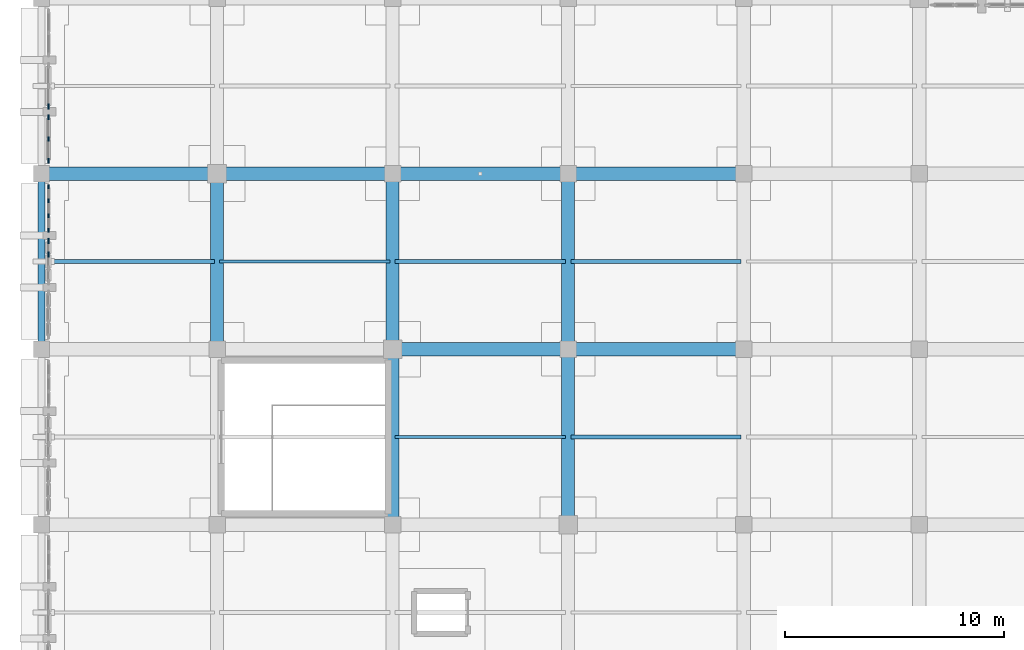
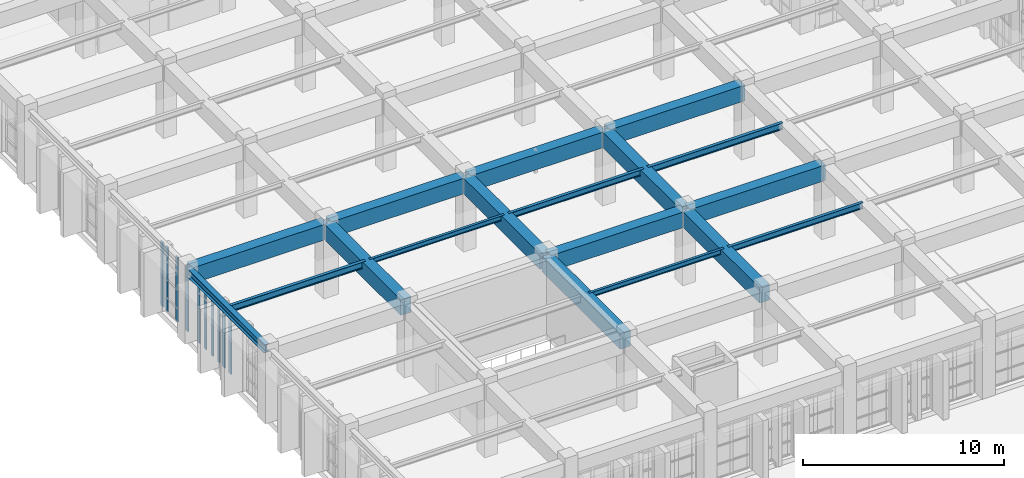
# One storey, part 10 of 155: 18 beams, 10 members, 4 elements without a shape of their own.
"""IFC4 building model written with IfcOpenShell, lengths in metres."""

import ifcopenshell
import ifcopenshell.guid

model = None  # the IFC model being written
_history = None  # IfcOwnerHistory: only IFC2X3 demands one
_inside = {}  # id of a spatial element -> (the spatial element, [elements in it])
_under = {}  # id of a project, library or spatial element -> (it, [spatial elements below it])
_declared = {}  # id of a project -> (the project, [libraries it declares])
_typed = {}  # id of a type object -> (the type object, [elements of that type])
_made_of = {}  # id of a material, layer set ... -> (it, [elements and type objects made of it])


def new_model(schema):
    """Start an empty IFC model of exactly this schema.

    Asked for "IFC4X3", IfcOpenShell would pick the latest addendum, in which some entities
    have other attributes; the version numbers below select the first issue.
    IFC2X3 requires an IfcOwnerHistory on every rooted entity: one is made here for all.
    """
    global model, _history
    if schema == "IFC4X3":
        model = ifcopenshell.file(schema_version=(4, 3, 0, 0))
    else:
        model = ifcopenshell.file(schema=schema)
    _inside.clear()
    _under.clear()
    _declared.clear()
    _typed.clear()
    _made_of.clear()
    _history = None
    if model.schema == "IFC2X3":
        org = make("IfcOrganization", Name="unknown")
        user = make(
            "IfcPersonAndOrganization",
            ThePerson=make("IfcPerson", FamilyName="unknown"),
            TheOrganization=org,
        )
        app = make(
            "IfcApplication",
            ApplicationDeveloper=org,
            Version="unknown",
            ApplicationFullName="unknown",
            ApplicationIdentifier="unknown",
        )
        _history = make(
            "IfcOwnerHistory",
            OwningUser=user,
            OwningApplication=app,
            ChangeAction="ADDED",
            CreationDate=0,
        )
    return model


def make(cls, **values):
    """One entity of the class cls with the attributes given. An attribute that is None is left unset."""
    return model.create_entity(
        cls, **{name: value for name, value in values.items() if value is not None}
    )


def rooted(cls, **values):
    """An entity with a GlobalId (a new one), such as an element, a storey or a relation."""
    return make(cls, GlobalId=ifcopenshell.guid.new(), OwnerHistory=_history, **values)


def si_unit(unit_type, name, prefix=None):
    """IfcSIUnit, for example si_unit("LENGTHUNIT", "METRE", prefix="MILLI")."""
    return make("IfcSIUnit", UnitType=unit_type, Prefix=prefix, Name=name)


def assignment(units):
    """IfcUnitAssignment: the units of a project."""
    return None if units is None else make("IfcUnitAssignment", Units=units)


def point(xyz):
    """IfcCartesianPoint."""
    return None if xyz is None else make("IfcCartesianPoint", Coordinates=xyz)


def direction(xyz):
    """IfcDirection."""
    return None if xyz is None else make("IfcDirection", DirectionRatios=xyz)


def frame(location, z_axis=None, x_axis=None):
    """IfcAxis2Placement3D, a coordinate frame: its origin and axes. An axis left out is left unset."""
    return make(
        "IfcAxis2Placement3D",
        Location=point(location),
        Axis=direction(z_axis),
        RefDirection=direction(x_axis),
    )


def frame_2d(location, x_axis=None):
    """IfcAxis2Placement2D, a coordinate frame in the plane: its origin and x axis."""
    return make(
        "IfcAxis2Placement2D", Location=point(location), RefDirection=direction(x_axis)
    )


def origin():
    """The frame at (0, 0, 0) with its axes left unset."""
    return frame((0.0, 0.0, 0.0))


def origin_2d():
    """The frame at (0, 0) in the plane with its x axis left unset."""
    return frame_2d((0.0, 0.0))


def place(relative_to, where):
    """IfcLocalPlacement: puts the frame where relative to a parent placement (None: the world)."""
    return make(
        "IfcLocalPlacement", PlacementRelTo=relative_to, RelativePlacement=where
    )


def context(
    kind, dimensions, precision=None, world=None, true_north=None, identifier=None
):
    """IfcGeometricRepresentationContext, for example the 3D "Model" context."""
    return make(
        "IfcGeometricRepresentationContext",
        ContextIdentifier=identifier,
        ContextType=kind,
        CoordinateSpaceDimension=dimensions,
        Precision=precision,
        WorldCoordinateSystem=world,
        TrueNorth=true_north,
    )


def subcontext(parent, identifier, kind, view, scale=None):
    """IfcGeometricRepresentationSubContext, for example "Body" below "Model"."""
    return make(
        "IfcGeometricRepresentationSubContext",
        ContextIdentifier=identifier,
        ContextType=kind,
        ParentContext=parent,
        TargetScale=scale,
        TargetView=view,
    )


def project(units=None, contexts=None):
    """IfcProject with its units and contexts."""
    return rooted(
        "IfcProject",
        Name="project",
        RepresentationContexts=contexts,
        UnitsInContext=assignment(units),
    )


def spatial(cls, under=None, at=None, **own):
    """A site, building, storey or space (cls), placed at a placement, below another one or the project."""
    s = rooted(cls, ObjectPlacement=at, **own)
    if under is not None:
        _under.setdefault(under.id(), (under, []))[1].append(s)
    return s


def profile(cls, at=None, kind="AREA", **sizes):
    """A parametric profile (cls). Its sizes go by their IFC names, for example OverallWidth=200.0."""
    return make(cls, ProfileType=kind, Position=at, **sizes)


def rectangle(**sizes):
    """IfcRectangleProfileDef."""
    return profile("IfcRectangleProfileDef", **sizes)


def i_section(**sizes):
    """IfcIShapeProfileDef."""
    return profile("IfcIShapeProfileDef", **sizes)


def extrude(swept, where, along, depth):
    """IfcExtrudedAreaSolid: the profile swept, set in the frame where, extruded along a direction by depth."""
    return make(
        "IfcExtrudedAreaSolid",
        SweptArea=swept,
        Position=where,
        ExtrudedDirection=direction(along),
        Depth=depth,
    )


def shape(context_of_items, identifier, shape_type, items):
    """IfcShapeRepresentation: the items that make up one representation, for example the "Body"."""
    return make(
        "IfcShapeRepresentation",
        ContextOfItems=context_of_items,
        RepresentationIdentifier=identifier,
        RepresentationType=shape_type,
        Items=items,
    )


def material(Name=None, Category=None):
    """IfcMaterial."""
    return make("IfcMaterial", Name=Name, Category=Category)


def layer(
    of_material, thickness, ventilated=None, Name=None, Category=None, Priority=None
):
    """IfcMaterialLayer: one layer of a wall or slab, of a material (None: an air gap)."""
    return make(
        "IfcMaterialLayer",
        Material=of_material,
        LayerThickness=thickness,
        IsVentilated=ventilated,
        Name=Name,
        Category=Category,
        Priority=Priority,
    )


def layer_set(layers, Name=None):
    """IfcMaterialLayerSet."""
    return make("IfcMaterialLayerSet", MaterialLayers=layers, LayerSetName=Name)


def material_profile(
    of_material, cross_section, Name=None, Category=None, Priority=None
):
    """IfcMaterialProfile: a cross section and its material."""
    return make(
        "IfcMaterialProfile",
        Name=Name,
        Material=of_material,
        Profile=cross_section,
        Priority=Priority,
        Category=Category,
    )


def profile_set(profiles, Name=None, composite=None):
    """IfcMaterialProfileSet."""
    return make(
        "IfcMaterialProfileSet",
        Name=Name,
        MaterialProfiles=profiles,
        CompositeProfile=composite,
    )


def made_of(thing, what):
    """Note that an element or type object is made of a material, layer set ...; save() writes the relation."""
    if what is not None:
        _made_of.setdefault(what.id(), (what, []))[1].append(thing)
    return thing


def type_object(cls, material=None, **own):
    """A type object (cls), such as IfcWallType, which elements share."""
    return made_of(rooted(cls, **own), material)


def element(
    cls,
    number,
    at=None,
    inside=None,
    cuts=None,
    type_object=None,
    material=None,
    context=None,
    identifier="Body",
    shape_type=None,
    held_by="IfcProductDefinitionShape",
    body=None,
    shapes=None,
    **own,
):
    """One element of the class cls, such as IfcWall. Its Tag is "e" and its number.

    at: its placement. inside: the storey or other place that contains it. cuts: it is an
    opening in that element (IfcRelVoidsElement). A single representation is given by context,
    identifier, shape_type and body (its items); several are given by shapes. held_by: the class
    of the entity that holds the representations. save() writes the other relations.
    """
    e = rooted(cls, Tag="e%d" % number, ObjectPlacement=at, **own)
    if body is not None:
        shapes = [shape(context, identifier, shape_type, body)]
    if shapes is not None:
        e.Representation = make(held_by, Representations=shapes)
    if inside is not None:
        _inside.setdefault(inside.id(), (inside, []))[1].append(e)
    if cuts is not None:
        rooted(
            "IfcRelVoidsElement", RelatingBuildingElement=cuts, RelatedOpeningElement=e
        )
    if type_object is not None:
        _typed.setdefault(type_object.id(), (type_object, []))[1].append(e)
    return made_of(e, material)


def aggregate(whole, parts):
    """IfcRelAggregates: a whole, such as a stair, and the parts it consists of."""
    return rooted("IfcRelAggregates", RelatingObject=whole, RelatedObjects=parts)


def save(model, path):
    """Write the relations noted so far, then the file.

    IfcRelAggregates (storeys below a building ...), IfcRelContainedInSpatialStructure (elements
    in a storey), IfcRelDefinesByType, IfcRelAssociatesMaterial and IfcRelDeclares: one each for
    every whole, place, type object, material and project.
    """
    for whole, parts in _under.values():
        aggregate(whole, parts)
    for where, things in _inside.values():
        rooted(
            "IfcRelContainedInSpatialStructure",
            RelatedElements=things,
            RelatingStructure=where,
        )
    for kind, things in _typed.values():
        rooted("IfcRelDefinesByType", RelatedObjects=things, RelatingType=kind)
    for what, things in _made_of.values():
        rooted("IfcRelAssociatesMaterial", RelatedObjects=things, RelatingMaterial=what)
    for by, libraries in _declared.values():
        rooted("IfcRelDeclares", RelatingContext=by, RelatedDefinitions=libraries)
    model.write(path)


model = new_model("IFC4")

# Units and contexts
model_context = context("Model", 3, precision=1e-05, world=origin(), true_north=direction((0.0, 1.0)))
body_context = subcontext(model_context, "Body", "Model", "MODEL_VIEW")
ifc_project = project(units=[si_unit("LENGTHUNIT", "METRE"), si_unit("AREAUNIT", "SQUARE_METRE"), si_unit("VOLUMEUNIT", "CUBIC_METRE"), si_unit("PLANEANGLEUNIT", "RADIAN"), si_unit("MASSUNIT", "GRAM", prefix="KILO")], contexts=[model_context])

# Site, building, storey
site_placement = place(None, origin())
site = spatial("IfcSite", under=ifc_project, at=site_placement, CompositionType="ELEMENT")
building_placement = place(site_placement, origin())
building = spatial("IfcBuilding", under=site, at=building_placement, Name="Tazarka Park Arena", CompositionType="ELEMENT")
storey_placement = place(building_placement, frame((0.0, 0.0, 5.39990234375)))
storey = spatial("IfcBuildingStorey", under=building, at=storey_placement, Name="L01", CompositionType="ELEMENT", Elevation=5.39990234375)

# Beams
ifc_material_1 = material(Name="Concrete C40/50", Category="concrete")
ifc_material_profile_1 = material_profile(ifc_material_1, rectangle(XDim=0.60009765625, YDim=0.949951171875, at=origin_2d()), Name="Concrete C40/50")
ifc_profile_set_1 = profile_set([ifc_material_profile_1], Name="Concrete C40/50")
beam_type_1 = type_object("IfcBeamType", Name="BM-B-03", PredefinedType="BEAM", material=ifc_profile_set_1)
for number, where, z_axis, x_axis, name in (
    (1, (0.1201171875, 32.0, 3.945068359375), (1.0, 0.0, 0.0), (0.0, 1.0, 0.0), "GXM-L01-00-04"),
    (2, (8.0, 24.1201171875, 3.945068359375), (0.0, 1.0, 0.0), (-1.0, 0.0, 0.0), "GYM-L01-01-03"),
    (3, (8.1201171875, 32.0, 3.945068359375), (1.0, 0.0, 0.0), (0.0, 1.0, 0.0), "GXM-L01-01-04"),
    (4, (16.0, 16.1201171875, 3.945068359375), (0.0, 1.0, 0.0), (-1.0, 0.0, 0.0), "GYM-L01-02-02"),
    (5, (16.1201171875, 24.0, 3.945068359375), (1.0, 0.0, 0.0), (0.0, 1.0, 0.0), "GXM-L01-02-03"),
    (6, (16.0, 24.1201171875, 3.945068359375), (0.0, 1.0, 0.0), (-1.0, 0.0, 0.0), "GYM-L01-02-03"),
    (7, (16.1201171875, 32.0, 3.945068359375), (1.0, 0.0, 0.0), (0.0, 1.0, 0.0), "GXM-L01-02-04"),
    (8, (24.0, 16.1201171875, 3.945068359375), (0.0, 1.0, 0.0), (-1.0, 0.0, 0.0), "GYM-L01-03-02"),
    (9, (24.1201171875, 24.0, 3.945068359375), (1.0, 0.0, 0.0), (0.0, 1.0, 0.0), "GXM-L01-03-03"),
    (10, (24.0, 24.1201171875, 3.945068359375), (0.0, 1.0, 0.0), (-1.0, 0.0, 0.0), "GYM-L01-03-03"),
    (11, (24.1201171875, 32.0, 3.945068359375), (1.0, 0.0, 0.0), (0.0, 1.0, 0.0), "GXM-L01-03-04"),
):
    element("IfcBeam", number, at=place(storey_placement, frame(where, z_axis=z_axis, x_axis=x_axis)), inside=storey, type_object=beam_type_1, Name=name, PredefinedType="BEAM", context=body_context, shape_type="SweptSolid", body=[
        extrude(rectangle(XDim=0.60009765625, YDim=0.949951171875, at=origin_2d()), origin(), (0.0, 0.0, 1.0), 7.759765625),
    ])
ifc_material_2 = material(Name="Steel S355", Category="steel")
ifc_material_profile_2 = material_profile(ifc_material_2, i_section(OverallWidth=0.14990234375, OverallDepth=0.300048828125, WebThickness=0.007080078125, FlangeThickness=0.0107421875, FilletRadius=0.014892578125, at=origin_2d()), Name="Steel S355")
ifc_profile_set_2 = profile_set([ifc_material_profile_2], Name="Steel S355")
beam_type_2 = type_object("IfcBeamType", Name="BM-J-01", PredefinedType="JOIST", material=ifc_profile_set_2)
for number, where, z_axis, x_axis, name in (
    (12, (8.1201171875, 28.0, 4.27001953125), (1.0, 0.0, 0.0), (0.0, 1.0, 0.0), "JST-L01-01-03"),
    (13, (16.1201171875, 20.0, 4.27001953125), (1.0, 0.0, 0.0), (0.0, 1.0, 0.0), "JST-L01-02-02"),
):
    element("IfcBeam", number, at=place(storey_placement, frame(where, z_axis=z_axis, x_axis=x_axis)), inside=storey, type_object=beam_type_2, Name=name, PredefinedType="JOIST", context=body_context, shape_type="SweptSolid", body=[
        extrude(i_section(OverallWidth=0.14990234375, OverallDepth=0.300048828125, WebThickness=0.007080078125, FlangeThickness=0.0107421875, FilletRadius=0.014892578125, at=origin_2d()), origin(), (0.0, 0.0, 1.0), 7.759765625),
    ])
ifc_material_3 = material(Name="Steel S355", Category="steel")
ifc_material_profile_3 = material_profile(ifc_material_3, i_section(OverallWidth=0.169921875, OverallDepth=0.360107421875, WebThickness=0.008056640625, FlangeThickness=0.0126953125, FilletRadius=0.01806640625, at=origin_2d()), Name="Steel S355")
ifc_profile_set_3 = profile_set([ifc_material_profile_3], Name="Steel S355")
beam_type_3 = type_object("IfcBeamType", Name="BM-J-02", PredefinedType="JOIST", material=ifc_profile_set_3)
for number, where, z_axis, x_axis, name in (
    (14, (16.1201171875, 28.0, 4.239990234375), (1.0, 0.0, 0.0), (0.0, 1.0, 0.0), "JST-L01-02-03"),
    (15, (24.1201171875, 20.0, 4.239990234375), (1.0, 0.0, 0.0), (0.0, 1.0, 0.0), "JST-L01-03-02"),
):
    element("IfcBeam", number, at=place(storey_placement, frame(where, z_axis=z_axis, x_axis=x_axis)), inside=storey, type_object=beam_type_3, Name=name, PredefinedType="JOIST", context=body_context, shape_type="SweptSolid", body=[
        extrude(i_section(OverallWidth=0.169921875, OverallDepth=0.360107421875, WebThickness=0.008056640625, FlangeThickness=0.0126953125, FilletRadius=0.01806640625, at=origin_2d()), origin(), (0.0, 0.0, 1.0), 7.759765625),
    ])
ifc_material_4 = material(Name="Steel S355", Category="steel")
ifc_material_profile_4 = material_profile(ifc_material_4, i_section(OverallWidth=0.179931640625, OverallDepth=0.39990234375, WebThickness=0.008544921875, FlangeThickness=0.013427734375, FilletRadius=0.02099609375, at=origin_2d()), Name="Steel S355")
ifc_profile_set_4 = profile_set([ifc_material_profile_4], Name="Steel S355")
beam_type_4 = type_object("IfcBeamType", Name="BM-J-03", PredefinedType="JOIST", material=ifc_profile_set_4)
for number, where, z_axis, x_axis, name in (
    (16, (0.1201171875, 28.0, 4.22021484375), (1.0, 0.0, 0.0), (0.0, 1.0, 0.0), "JST-L01-00-03"),
    (17, (24.1201171875, 28.0, 4.22021484375), (1.0, 0.0, 0.0), (0.0, 1.0, 0.0), "JST-L01-03-03"),
):
    element("IfcBeam", number, at=place(storey_placement, frame(where, z_axis=z_axis, x_axis=x_axis)), inside=storey, type_object=beam_type_4, Name=name, PredefinedType="JOIST", context=body_context, shape_type="SweptSolid", body=[
        extrude(i_section(OverallWidth=0.179931640625, OverallDepth=0.39990234375, WebThickness=0.008544921875, FlangeThickness=0.013427734375, FilletRadius=0.02099609375, at=origin_2d()), origin(), (0.0, 0.0, 1.0), 7.759765625),
    ])
ifc_material_5 = material(Name="Steel S355", Category="steel")
ifc_material_profile_5 = material_profile(ifc_material_5, i_section(OverallWidth=0.300048828125, OverallDepth=0.489990234375, WebThickness=0.011962890625, FlangeThickness=0.02294921875, FilletRadius=0.027099609375, at=origin_2d()), Name="Steel S355")
ifc_profile_set_5 = profile_set([ifc_material_profile_5], Name="Steel S355")
beam_type_5 = type_object("IfcBeamType", Name="BM-SP-02", PredefinedType="SPANDREL", material=ifc_profile_set_5)
beam_placement = place(storey_placement, frame((0.0, 24.1201171875, 4.175048828125), z_axis=(0.0, 1.0, 0.0), x_axis=(-1.0, 0.0, 0.0)))
element("IfcBeam", 18, at=beam_placement, inside=storey, type_object=beam_type_5, Name="GYM-L01-00-03", PredefinedType="SPANDREL", context=body_context, shape_type="SweptSolid", body=[
    extrude(i_section(OverallWidth=0.300048828125, OverallDepth=0.489990234375, WebThickness=0.011962890625, FlangeThickness=0.02294921875, FilletRadius=0.027099609375, at=origin_2d()), origin(), (0.0, 0.0, 1.0), 7.759765625),
])

# Curtain wall, members
ifc_material_6 = material(Name="Aluminium and low-e glass", Category="aluminium")
ifc_layer_1 = layer(ifc_material_6, 0.179931640625, Name="Aluminium and low-e glass")
ifc_layer_set_1 = layer_set([ifc_layer_1], Name="Aluminium and low-e glass")
curtain_wall_type_1 = type_object("IfcCurtainWallType", Name="CW-03", PredefinedType="NOTDEFINED", material=ifc_layer_set_1)
curtain_wall_1_placement = place(storey_placement, origin())
curtain_wall_1 = element("IfcCurtainWall", 19, at=curtain_wall_1_placement, inside=storey, type_object=curtain_wall_type_1, Name="Curtain Wall CWA-L01-063", PredefinedType="NOTDEFINED")
ifc_material_7 = material(Name="Aluminium 6060-T66", Category="aluminium")
ifc_material_profile_6 = material_profile(ifc_material_7, rectangle(XDim=0.06494140625, YDim=0.179931640625, at=origin_2d()), Name="Aluminium 6060-T66")
ifc_profile_set_6 = profile_set([ifc_material_profile_6], Name="Aluminium 6060-T66")
member_type_1 = type_object("IfcMemberType", Name="CWM-01", PredefinedType="MULLION", material=ifc_profile_set_6)
member_1_placement = place(storey_placement, frame((0.320068359375, 29.42431640625, 0.0), z_axis=(0.0, 0.0, 1.0), x_axis=(-1.0, 0.0, 0.0)))
member_1 = element("IfcMember", 20, at=member_1_placement, type_object=member_type_1, Name="CW-03 mullion 1", PredefinedType="MULLION", context=body_context, shape_type="SweptSolid", body=[
    extrude(rectangle(XDim=0.06494140625, YDim=0.179931640625, at=origin_2d()), origin(), (0.0, 0.0, 1.0), 3.91015625),
])
member_2_placement = place(storey_placement, frame((0.320068359375, 30.076171875, 0.0), z_axis=(0.0, 0.0, 1.0), x_axis=(-1.0, 0.0, 0.0)))
member_2 = element("IfcMember", 21, at=member_2_placement, type_object=member_type_1, Name="CW-03 mullion 2", PredefinedType="MULLION", context=body_context, shape_type="SweptSolid", body=[
    extrude(rectangle(XDim=0.06494140625, YDim=0.179931640625, at=origin_2d()), origin(), (0.0, 0.0, 1.0), 3.91015625),
])
member_3_placement = place(storey_placement, frame((0.320068359375, 30.760498046875, 0.0), z_axis=(0.0, 0.0, 1.0), x_axis=(-1.0, 0.0, 0.0)))
member_3 = element("IfcMember", 22, at=member_3_placement, type_object=member_type_1, Name="CW-03 mullion 3", PredefinedType="MULLION", context=body_context, shape_type="SweptSolid", body=[
    extrude(rectangle(XDim=0.06494140625, YDim=0.179931640625, at=origin_2d()), origin(), (0.0, 0.0, 1.0), 3.91015625),
])
member_4_placement = place(storey_placement, frame((0.320068359375, 31.41259765625, 0.0), z_axis=(0.0, 0.0, 1.0), x_axis=(-1.0, 0.0, 0.0)))
member_4 = element("IfcMember", 23, at=member_4_placement, type_object=member_type_1, Name="CW-03 mullion 4", PredefinedType="MULLION", context=body_context, shape_type="SweptSolid", body=[
    extrude(rectangle(XDim=0.06494140625, YDim=0.179931640625, at=origin_2d()), origin(), (0.0, 0.0, 1.0), 3.91015625),
])
aggregate(curtain_wall_1, [member_1, member_2, member_3, member_4])

ifc_material_8 = material(Name="Aluminium and low-e glass", Category="aluminium")
ifc_layer_2 = layer(ifc_material_8, 0.179931640625, Name="Aluminium and low-e glass")
ifc_layer_set_2 = layer_set([ifc_layer_2], Name="Aluminium and low-e glass")
curtain_wall_type_2 = type_object("IfcCurtainWallType", Name="CW-25", PredefinedType="NOTDEFINED", material=ifc_layer_set_2)
curtain_wall_2_placement = place(storey_placement, origin())
curtain_wall_2 = element("IfcCurtainWall", 24, at=curtain_wall_2_placement, inside=storey, type_object=curtain_wall_type_2, Name="Curtain Wall CWA-L01-145", PredefinedType="NOTDEFINED")
ifc_material_9 = material(Name="Aluminium 6060-T66", Category="aluminium")
ifc_material_profile_7 = material_profile(ifc_material_9, rectangle(XDim=0.06494140625, YDim=0.219970703125, at=origin_2d()), Name="Aluminium 6060-T66")
ifc_profile_set_7 = profile_set([ifc_material_profile_7], Name="Aluminium 6060-T66")
member_type_2 = type_object("IfcMemberType", Name="CWM-02", PredefinedType="MULLION", material=ifc_profile_set_7)
member_5_placement = place(storey_placement, frame((0.320068359375, 32.58740234375, 0.0), z_axis=(0.0, 0.0, 1.0), x_axis=(-1.0, 0.0, 0.0)))
member_5 = element("IfcMember", 25, at=member_5_placement, type_object=member_type_2, Name="CW-25 mullion 1", PredefinedType="MULLION", context=body_context, shape_type="SweptSolid", body=[
    extrude(rectangle(XDim=0.06494140625, YDim=0.219970703125, at=origin_2d()), origin(), (0.0, 0.0, 1.0), 3.91015625),
])
member_6_placement = place(storey_placement, frame((0.320068359375, 33.58154296875, 0.0), z_axis=(0.0, 0.0, 1.0), x_axis=(-1.0, 0.0, 0.0)))
member_6 = element("IfcMember", 26, at=member_6_placement, type_object=member_type_2, Name="CW-25 mullion 2", PredefinedType="MULLION", context=body_context, shape_type="SweptSolid", body=[
    extrude(rectangle(XDim=0.06494140625, YDim=0.219970703125, at=origin_2d()), origin(), (0.0, 0.0, 1.0), 3.91015625),
])
member_7_placement = place(storey_placement, frame((0.320068359375, 34.57568359375, 0.0), z_axis=(0.0, 0.0, 1.0), x_axis=(-1.0, 0.0, 0.0)))
member_7 = element("IfcMember", 27, at=member_7_placement, type_object=member_type_2, Name="CW-25 mullion 3", PredefinedType="MULLION", context=body_context, shape_type="SweptSolid", body=[
    extrude(rectangle(XDim=0.06494140625, YDim=0.219970703125, at=origin_2d()), origin(), (0.0, 0.0, 1.0), 3.91015625),
])
aggregate(curtain_wall_2, [member_5, member_6, member_7])

ifc_material_10 = material(Name="Aluminium and low-e glass", Category="aluminium")
ifc_layer_3 = layer(ifc_material_10, 0.179931640625, Name="Aluminium and low-e glass")
ifc_layer_set_3 = layer_set([ifc_layer_3], Name="Aluminium and low-e glass")
curtain_wall_type_3 = type_object("IfcCurtainWallType", Name="CW-02", PredefinedType="NOTDEFINED", material=ifc_layer_set_3)
curtain_wall_3_placement = place(storey_placement, origin())
curtain_wall_3 = element("IfcCurtainWall", 28, at=curtain_wall_3_placement, inside=storey, type_object=curtain_wall_type_3, Name="Curtain Wall CWA-L01-062", PredefinedType="NOTDEFINED")
ifc_material_11 = material(Name="Aluminium 6060-T66", Category="aluminium")
ifc_material_profile_8 = material_profile(ifc_material_11, rectangle(XDim=0.074951171875, YDim=0.25, at=origin_2d()), Name="Aluminium 6060-T66")
ifc_profile_set_8 = profile_set([ifc_material_profile_8], Name="Aluminium 6060-T66")
member_type_3 = type_object("IfcMemberType", Name="CWM-03", PredefinedType="MULLION", material=ifc_profile_set_8)
member_8_placement = place(storey_placement, frame((0.320068359375, 28.323974609375, 0.0), z_axis=(0.0, 0.0, 1.0), x_axis=(-1.0, 0.0, 0.0)))
member_8 = element("IfcMember", 29, at=member_8_placement, type_object=member_type_3, Name="CW-02 mullion 3", PredefinedType="MULLION", context=body_context, shape_type="SweptSolid", body=[
    extrude(rectangle(XDim=0.074951171875, YDim=0.25, at=origin_2d()), origin(), (0.0, 0.0, 1.0), 3.91015625),
])
member_9_placement = place(storey_placement, frame((0.320068359375, 28.93408203125, 0.0), z_axis=(0.0, 0.0, 1.0), x_axis=(-1.0, 0.0, 0.0)))
member_9 = element("IfcMember", 30, at=member_9_placement, type_object=member_type_3, Name="CW-02 mullion 4", PredefinedType="MULLION", context=body_context, shape_type="SweptSolid", body=[
    extrude(rectangle(XDim=0.074951171875, YDim=0.25, at=origin_2d()), origin(), (0.0, 0.0, 1.0), 3.91015625),
])
aggregate(curtain_wall_3, [member_8, member_9])

# Curtain wall, member
ifc_material_12 = material(Name="Aluminium and low-e glass", Category="aluminium")
ifc_layer_4 = layer(ifc_material_12, 0.179931640625, Name="Aluminium and low-e glass")
ifc_layer_set_4 = layer_set([ifc_layer_4], Name="Aluminium and low-e glass")
curtain_wall_type_4 = type_object("IfcCurtainWallType", Name="CW-26", PredefinedType="NOTDEFINED", material=ifc_layer_set_4)
curtain_wall_4_placement = place(storey_placement, origin())
curtain_wall_4 = element("IfcCurtainWall", 31, at=curtain_wall_4_placement, inside=storey, type_object=curtain_wall_type_4, Name="Curtain Wall CWA-L01-146", PredefinedType="NOTDEFINED")
member_10_placement = place(storey_placement, frame((0.320068359375, 35.06591796875, 0.0), z_axis=(0.0, 0.0, 1.0), x_axis=(-1.0, 0.0, 0.0)))
member_10 = element("IfcMember", 32, at=member_10_placement, type_object=member_type_3, Name="CW-26 mullion 1", PredefinedType="MULLION", context=body_context, shape_type="SweptSolid", body=[
    extrude(rectangle(XDim=0.074951171875, YDim=0.25, at=origin_2d()), origin(), (0.0, 0.0, 1.0), 3.91015625),
])
aggregate(curtain_wall_4, [member_10])

save(model, "model.ifc")
